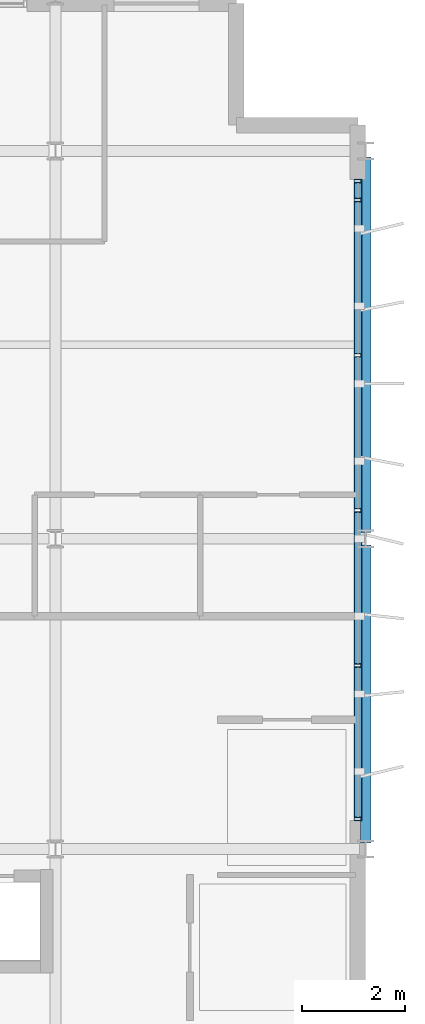
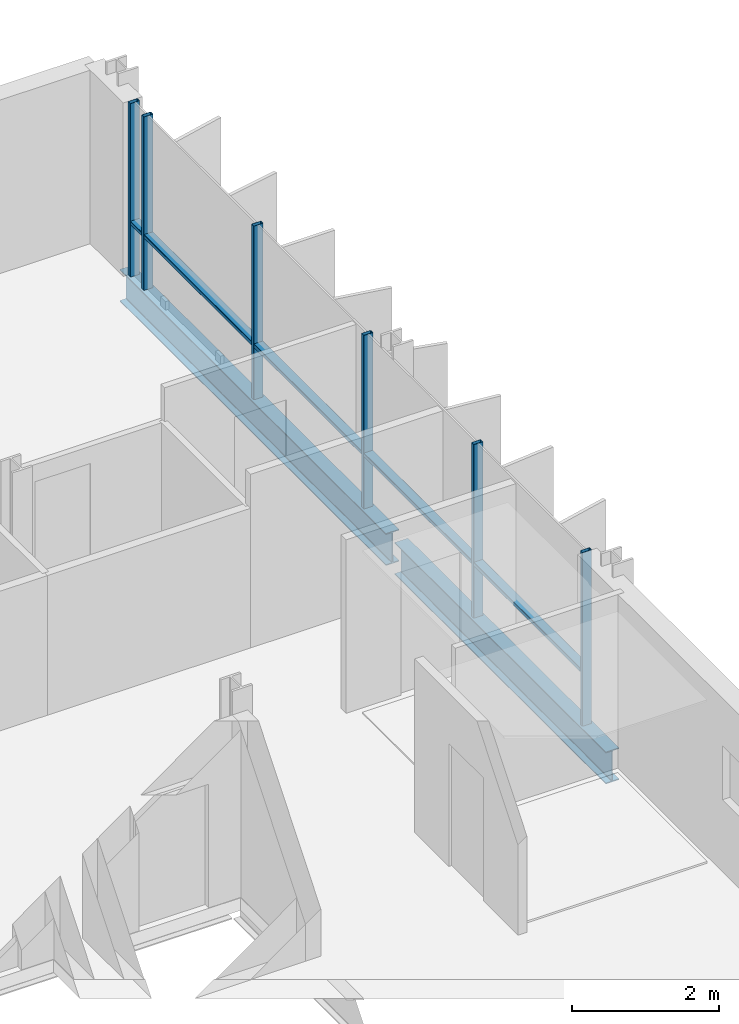
# One storey, part 5 of 13: 11 members, 2 beams, 1 element without a shape of its own.
"""IFC4 building model written with IfcOpenShell, lengths in metres."""

from ifc_helpers import new_model, si_unit, direction, frame, origin, origin_2d, place, context, subcontext, project, spatial, hollow_rectangle, i_section, extrude, material, layer, layer_set, material_profile, profile_set, type_object, element, aggregate, save


model = new_model("IFC4")

# Units and contexts
model_context = context("Model", 3, precision=1e-05, world=origin(), true_north=direction((0.0, 1.0)))
body_context = subcontext(model_context, "Body", "Model", "MODEL_VIEW")
ifc_project = project(units=[si_unit("LENGTHUNIT", "METRE"), si_unit("AREAUNIT", "SQUARE_METRE"), si_unit("VOLUMEUNIT", "CUBIC_METRE"), si_unit("PLANEANGLEUNIT", "RADIAN"), si_unit("MASSUNIT", "GRAM", prefix="KILO")], contexts=[model_context])

# Site, building, storey
site_placement = place(None, origin())
site = spatial("IfcSite", under=ifc_project, at=site_placement, CompositionType="ELEMENT")
building_placement = place(site_placement, origin())
building = spatial("IfcBuilding", under=site, at=building_placement, Name="Brevholm Reach", CompositionType="ELEMENT")
storey_placement = place(building_placement, frame((0.0, 0.0, 224.199951171875)))
storey = spatial("IfcBuildingStorey", under=building, at=storey_placement, Name="L68", CompositionType="ELEMENT", Elevation=224.199951171875)

# Beams
ifc_material_1 = material(Name="Structural Steel S355J2", Category="steel")
ifc_material_profile_1 = material_profile(ifc_material_1, i_section(OverallWidth=0.209228515625, OverallDepth=0.533203125, WebThickness=0.010009765625, FlangeThickness=0.015625, FilletRadius=0.0126953125, at=origin_2d()), Name="UKB 533x210x92")
ifc_profile_set_1 = profile_set([ifc_material_profile_1], Name="Structural Steel S355J2")
beam_type = type_object("IfcBeamType", Name="BM-SP533", PredefinedType="SPANDREL", material=ifc_profile_set_1)
beam_1_placement = place(storey_placement, frame((60.0, 10.1201171875, -0.4765625), z_axis=(0.0, 1.0, 0.0), x_axis=(-1.0, 0.0, 0.0)))
element("IfcBeam", 1, at=beam_1_placement, inside=storey, type_object=beam_type, Name="L68 SP-02 Framing Beam", PredefinedType="SPANDREL", context=body_context, shape_type="SweptSolid", body=[
    extrude(i_section(OverallWidth=0.209228515625, OverallDepth=0.533203125, WebThickness=0.010009765625, FlangeThickness=0.015625, FilletRadius=0.0126953125, at=origin_2d()), origin(), (0.0, 0.0, 1.0), 5.759765625),
])
beam_2_placement = place(storey_placement, frame((60.0, 16.1201171875, -0.4765625), z_axis=(0.0, 1.0, 0.0), x_axis=(-1.0, 0.0, 0.0)))
element("IfcBeam", 2, at=beam_2_placement, inside=storey, type_object=beam_type, Name="L68 SP-02 Framing Beam", PredefinedType="SPANDREL", context=body_context, shape_type="SweptSolid", body=[
    extrude(i_section(OverallWidth=0.209228515625, OverallDepth=0.533203125, WebThickness=0.010009765625, FlangeThickness=0.015625, FilletRadius=0.0126953125, at=origin_2d()), origin(), (0.0, 0.0, 1.0), 7.259765625),
])

# Curtain wall, members
ifc_material_2 = material(Name="Dark Anodised Aluminium 6063-T6 and Solar-Control Glass", Category="aluminium")
ifc_layer = layer(ifc_material_2, 0.14990234375)
ifc_layer_set = layer_set([ifc_layer], Name="Dark Anodised Aluminium 6063-T6 and Solar-Control Glass")
curtain_wall_type = type_object("IfcCurtainWallType", Name="CW-01", PredefinedType="NOTDEFINED", material=ifc_layer_set)
curtain_wall_placement = place(storey_placement, origin())
curtain_wall = element("IfcCurtainWall", 3, at=curtain_wall_placement, inside=storey, type_object=curtain_wall_type, Name="L68 Curtain Wall CW-01", PredefinedType="NOTDEFINED")
ifc_material_3 = material(Name="Dark Anodised Aluminium 6063-T6", Category="aluminium")
ifc_material_profile_2 = material_profile(ifc_material_3, hollow_rectangle(XDim=0.06494140625, YDim=0.14990234375, WallThickness=0.0048828125, InnerFilletRadius=0.0048828125, OuterFilletRadius=0.010009765625, at=origin_2d()), Name="RHS 150x65x5")
ifc_profile_set_2 = profile_set([ifc_material_profile_2], Name="Dark Anodised Aluminium 6063-T6")
member_type_1 = type_object("IfcMemberType", Name="CWM-150", PredefinedType="MULLION", material=ifc_profile_set_2)
member_1_placement = place(storey_placement, frame((59.85009765625, 10.58251953125, 0.0), z_axis=(0.0, 0.0, 1.0), x_axis=(0.0, 1.0, 0.0)))
member_1 = element("IfcMember", 4, at=member_1_placement, type_object=member_type_1, Name="CM-150 Mullion 1", PredefinedType="MULLION", context=body_context, shape_type="SweptSolid", body=[
    extrude(hollow_rectangle(XDim=0.06494140625, YDim=0.14990234375, WallThickness=0.0048828125, InnerFilletRadius=0.0048828125, OuterFilletRadius=0.010009765625, at=origin_2d()), origin(), (0.0, 0.0, 1.0), 2.89013671875),
])
member_2_placement = place(storey_placement, frame((59.85009765625, 13.550048828125, 0.0), z_axis=(0.0, 0.0, 1.0), x_axis=(0.0, 1.0, 0.0)))
member_2 = element("IfcMember", 5, at=member_2_placement, type_object=member_type_1, Name="CM-150 Mullion 2", PredefinedType="MULLION", context=body_context, shape_type="SweptSolid", body=[
    extrude(hollow_rectangle(XDim=0.06494140625, YDim=0.14990234375, WallThickness=0.0048828125, InnerFilletRadius=0.0048828125, OuterFilletRadius=0.010009765625, at=origin_2d()), origin(), (0.0, 0.0, 1.0), 2.89013671875),
])
member_3_placement = place(storey_placement, frame((59.85009765625, 16.550048828125, 0.0), z_axis=(0.0, 0.0, 1.0), x_axis=(0.0, 1.0, 0.0)))
member_3 = element("IfcMember", 6, at=member_3_placement, type_object=member_type_1, Name="CM-150 Mullion 3", PredefinedType="MULLION", context=body_context, shape_type="SweptSolid", body=[
    extrude(hollow_rectangle(XDim=0.06494140625, YDim=0.14990234375, WallThickness=0.0048828125, InnerFilletRadius=0.0048828125, OuterFilletRadius=0.010009765625, at=origin_2d()), origin(), (0.0, 0.0, 1.0), 2.89013671875),
])
member_4_placement = place(storey_placement, frame((59.85009765625, 19.550048828125, 0.0), z_axis=(0.0, 0.0, 1.0), x_axis=(0.0, 1.0, 0.0)))
member_4 = element("IfcMember", 7, at=member_4_placement, type_object=member_type_1, Name="CM-150 Mullion 4", PredefinedType="MULLION", context=body_context, shape_type="SweptSolid", body=[
    extrude(hollow_rectangle(XDim=0.06494140625, YDim=0.14990234375, WallThickness=0.0048828125, InnerFilletRadius=0.0048828125, OuterFilletRadius=0.010009765625, at=origin_2d()), origin(), (0.0, 0.0, 1.0), 2.89013671875),
])
member_5_placement = place(storey_placement, frame((59.85009765625, 22.550048828125, 0.0), z_axis=(0.0, 0.0, 1.0), x_axis=(0.0, 1.0, 0.0)))
member_5 = element("IfcMember", 8, at=member_5_placement, type_object=member_type_1, Name="CM-150 Mullion 5", PredefinedType="MULLION", context=body_context, shape_type="SweptSolid", body=[
    extrude(hollow_rectangle(XDim=0.06494140625, YDim=0.14990234375, WallThickness=0.0048828125, InnerFilletRadius=0.0048828125, OuterFilletRadius=0.010009765625, at=origin_2d()), origin(), (0.0, 0.0, 1.0), 2.89013671875),
])
member_6_placement = place(storey_placement, frame((59.85009765625, 22.91748046875, 0.0), z_axis=(0.0, 0.0, 1.0), x_axis=(0.0, 1.0, 0.0)))
member_6 = element("IfcMember", 9, at=member_6_placement, type_object=member_type_1, Name="CM-150 Mullion 6", PredefinedType="MULLION", context=body_context, shape_type="SweptSolid", body=[
    extrude(hollow_rectangle(XDim=0.06494140625, YDim=0.14990234375, WallThickness=0.0048828125, InnerFilletRadius=0.0048828125, OuterFilletRadius=0.010009765625, at=origin_2d()), origin(), (0.0, 0.0, 1.0), 2.89013671875),
])
ifc_material_4 = material(Name="Dark Anodised Aluminium 6063-T6", Category="aluminium")
ifc_material_profile_3 = material_profile(ifc_material_4, hollow_rectangle(XDim=0.06494140625, YDim=0.14990234375, WallThickness=0.0048828125, InnerFilletRadius=0.0048828125, OuterFilletRadius=0.010009765625, at=origin_2d()), Name="RHS 150x65x5")
ifc_profile_set_3 = profile_set([ifc_material_profile_3], Name="Dark Anodised Aluminium 6063-T6")
member_type_2 = type_object("IfcMemberType", Name="CWT-150", PredefinedType="NOTDEFINED", material=ifc_profile_set_3)
member_7_placement = place(storey_placement, frame((59.85009765625, 10.614990234375, 0.900146484375), z_axis=(0.0, 1.0, 0.0), x_axis=(0.0, 0.0, 1.0)))
member_7 = element("IfcMember", 10, at=member_7_placement, type_object=member_type_2, Name="CT-150 Transom 1.1", ObjectType="TRANSOM", PredefinedType="USERDEFINED", context=body_context, shape_type="SweptSolid", body=[
    extrude(hollow_rectangle(XDim=0.06494140625, YDim=0.14990234375, WallThickness=0.0048828125, InnerFilletRadius=0.0048828125, OuterFilletRadius=0.010009765625, at=origin_2d()), origin(), (0.0, 0.0, 1.0), 2.902587890625),
])
member_8_placement = place(storey_placement, frame((59.85009765625, 13.58251953125, 0.900146484375), z_axis=(0.0, 1.0, 0.0), x_axis=(0.0, 0.0, 1.0)))
member_8 = element("IfcMember", 11, at=member_8_placement, type_object=member_type_2, Name="CT-150 Transom 2.1", ObjectType="TRANSOM", PredefinedType="USERDEFINED", context=body_context, shape_type="SweptSolid", body=[
    extrude(hollow_rectangle(XDim=0.06494140625, YDim=0.14990234375, WallThickness=0.0048828125, InnerFilletRadius=0.0048828125, OuterFilletRadius=0.010009765625, at=origin_2d()), origin(), (0.0, 0.0, 1.0), 2.93505859375),
])
member_9_placement = place(storey_placement, frame((59.85009765625, 16.58251953125, 0.900146484375), z_axis=(0.0, 1.0, 0.0), x_axis=(0.0, 0.0, 1.0)))
member_9 = element("IfcMember", 12, at=member_9_placement, type_object=member_type_2, Name="CT-150 Transom 3.1", ObjectType="TRANSOM", PredefinedType="USERDEFINED", context=body_context, shape_type="SweptSolid", body=[
    extrude(hollow_rectangle(XDim=0.06494140625, YDim=0.14990234375, WallThickness=0.0048828125, InnerFilletRadius=0.0048828125, OuterFilletRadius=0.010009765625, at=origin_2d()), origin(), (0.0, 0.0, 1.0), 2.93505859375),
])
member_10_placement = place(storey_placement, frame((59.85009765625, 19.58251953125, 0.900146484375), z_axis=(0.0, 1.0, 0.0), x_axis=(0.0, 0.0, 1.0)))
member_10 = element("IfcMember", 13, at=member_10_placement, type_object=member_type_2, Name="CT-150 Transom 4.1", ObjectType="TRANSOM", PredefinedType="USERDEFINED", context=body_context, shape_type="SweptSolid", body=[
    extrude(hollow_rectangle(XDim=0.06494140625, YDim=0.14990234375, WallThickness=0.0048828125, InnerFilletRadius=0.0048828125, OuterFilletRadius=0.010009765625, at=origin_2d()), origin(), (0.0, 0.0, 1.0), 2.93505859375),
])
member_11_placement = place(storey_placement, frame((59.85009765625, 22.58251953125, 0.900146484375), z_axis=(0.0, 1.0, 0.0), x_axis=(0.0, 0.0, 1.0)))
member_11 = element("IfcMember", 14, at=member_11_placement, type_object=member_type_2, Name="CT-150 Transom 5.1", ObjectType="TRANSOM", PredefinedType="USERDEFINED", context=body_context, shape_type="SweptSolid", body=[
    extrude(hollow_rectangle(XDim=0.06494140625, YDim=0.14990234375, WallThickness=0.0048828125, InnerFilletRadius=0.0048828125, OuterFilletRadius=0.010009765625, at=origin_2d()), origin(), (0.0, 0.0, 1.0), 0.302490234375),
])
aggregate(curtain_wall, [member_1, member_2, member_3, member_4, member_5, member_6, member_7, member_8, member_9, member_10, member_11])

save(model, "model.ifc")
